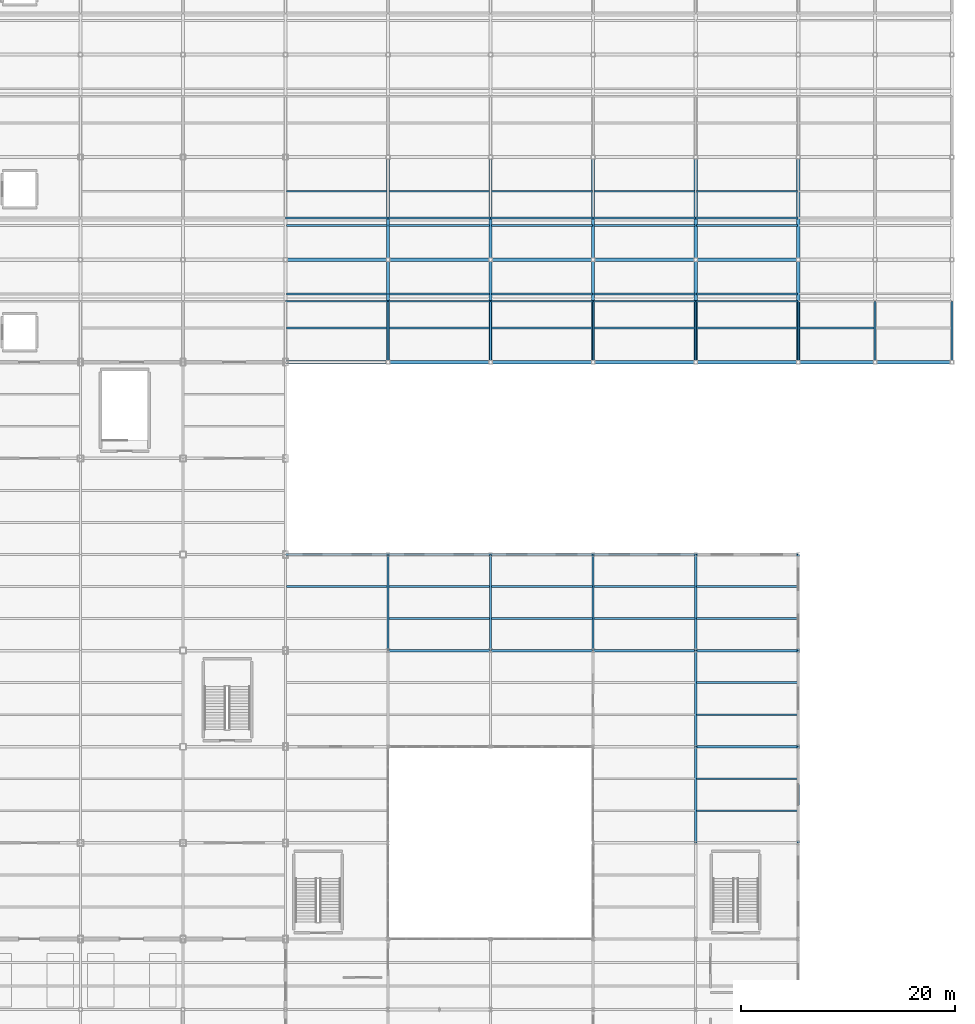
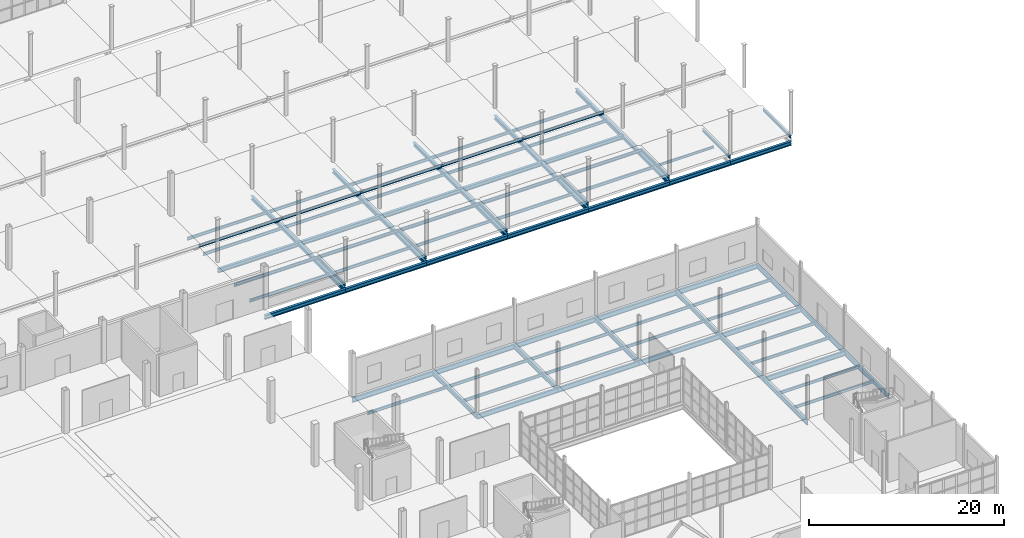
# One storey, part 41 of 85: 92 beams.
"""IFC4 building model written with IfcOpenShell, lengths in metres."""

import ifcopenshell
import ifcopenshell.guid

model = None  # the IFC model being written
_history = None  # IfcOwnerHistory: only IFC2X3 demands one
_inside = {}  # id of a spatial element -> (the spatial element, [elements in it])
_under = {}  # id of a project, library or spatial element -> (it, [spatial elements below it])
_declared = {}  # id of a project -> (the project, [libraries it declares])
_typed = {}  # id of a type object -> (the type object, [elements of that type])
_made_of = {}  # id of a material, layer set ... -> (it, [elements and type objects made of it])


def new_model(schema):
    """Start an empty IFC model of exactly this schema.

    Asked for "IFC4X3", IfcOpenShell would pick the latest addendum, in which some entities
    have other attributes; the version numbers below select the first issue.
    IFC2X3 requires an IfcOwnerHistory on every rooted entity: one is made here for all.
    """
    global model, _history
    if schema == "IFC4X3":
        model = ifcopenshell.file(schema_version=(4, 3, 0, 0))
    else:
        model = ifcopenshell.file(schema=schema)
    _inside.clear()
    _under.clear()
    _declared.clear()
    _typed.clear()
    _made_of.clear()
    _history = None
    if model.schema == "IFC2X3":
        org = make("IfcOrganization", Name="unknown")
        user = make(
            "IfcPersonAndOrganization",
            ThePerson=make("IfcPerson", FamilyName="unknown"),
            TheOrganization=org,
        )
        app = make(
            "IfcApplication",
            ApplicationDeveloper=org,
            Version="unknown",
            ApplicationFullName="unknown",
            ApplicationIdentifier="unknown",
        )
        _history = make(
            "IfcOwnerHistory",
            OwningUser=user,
            OwningApplication=app,
            ChangeAction="ADDED",
            CreationDate=0,
        )
    return model


def make(cls, **values):
    """One entity of the class cls with the attributes given. An attribute that is None is left unset."""
    return model.create_entity(
        cls, **{name: value for name, value in values.items() if value is not None}
    )


def rooted(cls, **values):
    """An entity with a GlobalId (a new one), such as an element, a storey or a relation."""
    return make(cls, GlobalId=ifcopenshell.guid.new(), OwnerHistory=_history, **values)


def si_unit(unit_type, name, prefix=None):
    """IfcSIUnit, for example si_unit("LENGTHUNIT", "METRE", prefix="MILLI")."""
    return make("IfcSIUnit", UnitType=unit_type, Prefix=prefix, Name=name)


def assignment(units):
    """IfcUnitAssignment: the units of a project."""
    return None if units is None else make("IfcUnitAssignment", Units=units)


def point(xyz):
    """IfcCartesianPoint."""
    return None if xyz is None else make("IfcCartesianPoint", Coordinates=xyz)


def direction(xyz):
    """IfcDirection."""
    return None if xyz is None else make("IfcDirection", DirectionRatios=xyz)


def frame(location, z_axis=None, x_axis=None):
    """IfcAxis2Placement3D, a coordinate frame: its origin and axes. An axis left out is left unset."""
    return make(
        "IfcAxis2Placement3D",
        Location=point(location),
        Axis=direction(z_axis),
        RefDirection=direction(x_axis),
    )


def frame_2d(location, x_axis=None):
    """IfcAxis2Placement2D, a coordinate frame in the plane: its origin and x axis."""
    return make(
        "IfcAxis2Placement2D", Location=point(location), RefDirection=direction(x_axis)
    )


def origin():
    """The frame at (0, 0, 0) with its axes left unset."""
    return frame((0.0, 0.0, 0.0))


def origin_2d():
    """The frame at (0, 0) in the plane with its x axis left unset."""
    return frame_2d((0.0, 0.0))


def place(relative_to, where):
    """IfcLocalPlacement: puts the frame where relative to a parent placement (None: the world)."""
    return make(
        "IfcLocalPlacement", PlacementRelTo=relative_to, RelativePlacement=where
    )


def context(
    kind, dimensions, precision=None, world=None, true_north=None, identifier=None
):
    """IfcGeometricRepresentationContext, for example the 3D "Model" context."""
    return make(
        "IfcGeometricRepresentationContext",
        ContextIdentifier=identifier,
        ContextType=kind,
        CoordinateSpaceDimension=dimensions,
        Precision=precision,
        WorldCoordinateSystem=world,
        TrueNorth=true_north,
    )


def subcontext(parent, identifier, kind, view, scale=None):
    """IfcGeometricRepresentationSubContext, for example "Body" below "Model"."""
    return make(
        "IfcGeometricRepresentationSubContext",
        ContextIdentifier=identifier,
        ContextType=kind,
        ParentContext=parent,
        TargetScale=scale,
        TargetView=view,
    )


def project(units=None, contexts=None):
    """IfcProject with its units and contexts."""
    return rooted(
        "IfcProject",
        Name="project",
        RepresentationContexts=contexts,
        UnitsInContext=assignment(units),
    )


def spatial(cls, under=None, at=None, **own):
    """A site, building, storey or space (cls), placed at a placement, below another one or the project."""
    s = rooted(cls, ObjectPlacement=at, **own)
    if under is not None:
        _under.setdefault(under.id(), (under, []))[1].append(s)
    return s


def profile(cls, at=None, kind="AREA", **sizes):
    """A parametric profile (cls). Its sizes go by their IFC names, for example OverallWidth=200.0."""
    return make(cls, ProfileType=kind, Position=at, **sizes)


def i_section(**sizes):
    """IfcIShapeProfileDef."""
    return profile("IfcIShapeProfileDef", **sizes)


def extrude(swept, where, along, depth):
    """IfcExtrudedAreaSolid: the profile swept, set in the frame where, extruded along a direction by depth."""
    return make(
        "IfcExtrudedAreaSolid",
        SweptArea=swept,
        Position=where,
        ExtrudedDirection=direction(along),
        Depth=depth,
    )


def shape(context_of_items, identifier, shape_type, items):
    """IfcShapeRepresentation: the items that make up one representation, for example the "Body"."""
    return make(
        "IfcShapeRepresentation",
        ContextOfItems=context_of_items,
        RepresentationIdentifier=identifier,
        RepresentationType=shape_type,
        Items=items,
    )


def material(Name=None, Category=None):
    """IfcMaterial."""
    return make("IfcMaterial", Name=Name, Category=Category)


def material_profile(
    of_material, cross_section, Name=None, Category=None, Priority=None
):
    """IfcMaterialProfile: a cross section and its material."""
    return make(
        "IfcMaterialProfile",
        Name=Name,
        Material=of_material,
        Profile=cross_section,
        Priority=Priority,
        Category=Category,
    )


def profile_set(profiles, Name=None, composite=None):
    """IfcMaterialProfileSet."""
    return make(
        "IfcMaterialProfileSet",
        Name=Name,
        MaterialProfiles=profiles,
        CompositeProfile=composite,
    )


def made_of(thing, what):
    """Note that an element or type object is made of a material, layer set ...; save() writes the relation."""
    if what is not None:
        _made_of.setdefault(what.id(), (what, []))[1].append(thing)
    return thing


def type_object(cls, material=None, **own):
    """A type object (cls), such as IfcWallType, which elements share."""
    return made_of(rooted(cls, **own), material)


def element(
    cls,
    number,
    at=None,
    inside=None,
    cuts=None,
    type_object=None,
    material=None,
    context=None,
    identifier="Body",
    shape_type=None,
    held_by="IfcProductDefinitionShape",
    body=None,
    shapes=None,
    **own,
):
    """One element of the class cls, such as IfcWall. Its Tag is "e" and its number.

    at: its placement. inside: the storey or other place that contains it. cuts: it is an
    opening in that element (IfcRelVoidsElement). A single representation is given by context,
    identifier, shape_type and body (its items); several are given by shapes. held_by: the class
    of the entity that holds the representations. save() writes the other relations.
    """
    e = rooted(cls, Tag="e%d" % number, ObjectPlacement=at, **own)
    if body is not None:
        shapes = [shape(context, identifier, shape_type, body)]
    if shapes is not None:
        e.Representation = make(held_by, Representations=shapes)
    if inside is not None:
        _inside.setdefault(inside.id(), (inside, []))[1].append(e)
    if cuts is not None:
        rooted(
            "IfcRelVoidsElement", RelatingBuildingElement=cuts, RelatedOpeningElement=e
        )
    if type_object is not None:
        _typed.setdefault(type_object.id(), (type_object, []))[1].append(e)
    return made_of(e, material)


def aggregate(whole, parts):
    """IfcRelAggregates: a whole, such as a stair, and the parts it consists of."""
    return rooted("IfcRelAggregates", RelatingObject=whole, RelatedObjects=parts)


def save(model, path):
    """Write the relations noted so far, then the file.

    IfcRelAggregates (storeys below a building ...), IfcRelContainedInSpatialStructure (elements
    in a storey), IfcRelDefinesByType, IfcRelAssociatesMaterial and IfcRelDeclares: one each for
    every whole, place, type object, material and project.
    """
    for whole, parts in _under.values():
        aggregate(whole, parts)
    for where, things in _inside.values():
        rooted(
            "IfcRelContainedInSpatialStructure",
            RelatedElements=things,
            RelatingStructure=where,
        )
    for kind, things in _typed.values():
        rooted("IfcRelDefinesByType", RelatedObjects=things, RelatingType=kind)
    for what, things in _made_of.values():
        rooted("IfcRelAssociatesMaterial", RelatedObjects=things, RelatingMaterial=what)
    for by, libraries in _declared.values():
        rooted("IfcRelDeclares", RelatingContext=by, RelatedDefinitions=libraries)
    model.write(path)


model = new_model("IFC4")

# Units and contexts
model_context = context("Model", 3, precision=1e-05, world=origin(), true_north=direction((0.0, 1.0)))
body_context = subcontext(model_context, "Body", "Model", "MODEL_VIEW")
ifc_project = project(units=[si_unit("LENGTHUNIT", "METRE"), si_unit("AREAUNIT", "SQUARE_METRE"), si_unit("VOLUMEUNIT", "CUBIC_METRE"), si_unit("PLANEANGLEUNIT", "RADIAN"), si_unit("MASSUNIT", "GRAM", prefix="KILO")], contexts=[model_context])

# Site, building, storey
site_placement = place(None, origin())
site = spatial("IfcSite", under=ifc_project, at=site_placement, CompositionType="ELEMENT")
building_placement = place(site_placement, origin())
building = spatial("IfcBuilding", under=site, at=building_placement, Name="Zarnetskaya Central Station", CompositionType="ELEMENT")
storey_placement = place(building_placement, origin())
storey = spatial("IfcBuildingStorey", under=building, at=storey_placement, Name="L00", CompositionType="ELEMENT", Elevation=0.0)

# Beams
ifc_material = material(Name="Steel S355", Category="steel")
ifc_material_profile_1 = material_profile(ifc_material, i_section(OverallWidth=0.14990234375, OverallDepth=0.300048828125, WebThickness=0.007080078125, FlangeThickness=0.0107421875, FilletRadius=0.014892578125, at=origin_2d()), Name="IPE 300")
ifc_profile_set_1 = profile_set([ifc_material_profile_1], Name="Steel S355")
beam_type_1 = type_object("IfcBeamType", Name="BM-SEC-300", PredefinedType="BEAM", material=ifc_profile_set_1)
beam_1_placement = place(storey_placement, frame((172.8798828125, 70.39990234375, -1.06005859375), z_axis=(1.0, 0.0, 0.0), x_axis=(0.0, 1.0, 0.0)))
element("IfcBeam", 1, at=beam_1_placement, inside=storey, type_object=beam_type_1, Name="Secondary floor beam SEC-L00-Z91-UV-910-1", PredefinedType="BEAM", context=body_context, shape_type="SweptSolid", body=[
    extrude(i_section(OverallWidth=0.14990234375, OverallDepth=0.300048828125, WebThickness=0.007080078125, FlangeThickness=0.0107421875, FilletRadius=0.014892578125, at=origin_2d()), origin(), (0.0, 0.0, 1.0), 7.0400390625),
])
ifc_material_profile_2 = material_profile(ifc_material, i_section(OverallWidth=0.159912109375, OverallDepth=0.330078125, WebThickness=0.007568359375, FlangeThickness=0.011474609375, FilletRadius=0.01806640625, at=origin_2d()), Name="IPE 330")
ifc_profile_set_2 = profile_set([ifc_material_profile_2], Name="Steel S355")
beam_type_2 = type_object("IfcBeamType", Name="BM-SEC-330", PredefinedType="BEAM", material=ifc_profile_set_2)
for number, where, z_axis, x_axis, name in (
    (2, (134.39990234375, 67.199951171875, -0.465087890625), (0.0, 1.0, 0.0), (-1.0, 0.0, 0.0), "Platform transverse bearer GY-PLT-P1-Q"),
    (3, (144.0, 67.199951171875, -0.455078125), (0.0, 1.0, 0.0), (-1.0, 0.0, 0.0), "Platform transverse bearer GY-PLT-P1-R"),
    (4, (153.60009765625, 67.199951171875, -0.455078125), (0.0, 1.0, 0.0), (-1.0, 0.0, 0.0), "Platform transverse bearer GY-PLT-P1-S"),
    (5, (163.199951171875, 67.199951171875, -0.455078125), (0.0, 1.0, 0.0), (-1.0, 0.0, 0.0), "Platform transverse bearer GY-PLT-P1-T"),
    (6, (172.800048828125, 67.199951171875, -0.455078125), (0.0, 1.0, 0.0), (-1.0, 0.0, 0.0), "Platform transverse bearer GY-PLT-P1-U"),
    (7, (180.0, 67.199951171875, -0.455078125), (0.0, 1.0, 0.0), (-1.0, 0.0, 0.0), "Platform transverse bearer GY-PLT-P1-V"),
    (8, (187.199951171875, 67.199951171875, -0.455078125), (0.0, 1.0, 0.0), (-1.0, 0.0, 0.0), "Platform transverse bearer GY-PLT-P1-W"),
):
    element("IfcBeam", number, at=place(storey_placement, frame(where, z_axis=z_axis, x_axis=x_axis)), inside=storey, type_object=beam_type_2, Name=name, PredefinedType="BEAM", context=body_context, shape_type="SweptSolid", body=[
        extrude(i_section(OverallWidth=0.159912109375, OverallDepth=0.330078125, WebThickness=0.007568359375, FlangeThickness=0.011474609375, FilletRadius=0.01806640625, at=origin_2d()), origin(), (0.0, 0.0, 1.0), 5.699951171875),
    ])
beam_2_placement = place(storey_placement, frame((124.800048828125, 72.89990234375, -0.465087890625), z_axis=(1.0, 0.0, 0.0), x_axis=(0.0, 1.0, 0.0)))
element("IfcBeam", 9, at=beam_2_placement, inside=storey, type_object=beam_type_2, Name="Platform north edge beam GX-PLT-P1-PQ-N", PredefinedType="BEAM", context=body_context, shape_type="SweptSolid", body=[
    extrude(i_section(OverallWidth=0.159912109375, OverallDepth=0.330078125, WebThickness=0.007568359375, FlangeThickness=0.011474609375, FilletRadius=0.01806640625, at=origin_2d()), origin(), (0.0, 0.0, 1.0), 9.599853515625),
])
for number, where, z_axis, x_axis, name in (
    (10, (134.39990234375, 72.89990234375, -0.455078125), (1.0, 0.0, 0.0), (0.0, 1.0, 0.0), "Platform north edge beam GX-PLT-P1-QR-N"),
    (11, (144.0, 72.89990234375, -0.455078125), (1.0, 0.0, 0.0), (0.0, 1.0, 0.0), "Platform north edge beam GX-PLT-P1-RS-N"),
):
    element("IfcBeam", number, at=place(storey_placement, frame(where, z_axis=z_axis, x_axis=x_axis)), inside=storey, type_object=beam_type_2, Name=name, PredefinedType="BEAM", context=body_context, shape_type="SweptSolid", body=[
        extrude(i_section(OverallWidth=0.159912109375, OverallDepth=0.330078125, WebThickness=0.007568359375, FlangeThickness=0.011474609375, FilletRadius=0.01806640625, at=origin_2d()), origin(), (0.0, 0.0, 1.0), 9.60009765625),
    ])
beam_3_placement = place(storey_placement, frame((153.60009765625, 72.89990234375, -0.455078125), z_axis=(1.0, 0.0, 0.0), x_axis=(0.0, 1.0, 0.0)))
element("IfcBeam", 12, at=beam_3_placement, inside=storey, type_object=beam_type_2, Name="Platform north edge beam GX-PLT-P1-ST-N", PredefinedType="BEAM", context=body_context, shape_type="SweptSolid", body=[
    extrude(i_section(OverallWidth=0.159912109375, OverallDepth=0.330078125, WebThickness=0.007568359375, FlangeThickness=0.011474609375, FilletRadius=0.01806640625, at=origin_2d()), origin(), (0.0, 0.0, 1.0), 9.599853515625),
])
beam_4_placement = place(storey_placement, frame((163.199951171875, 72.89990234375, -0.455078125), z_axis=(1.0, 0.0, 0.0), x_axis=(0.0, 1.0, 0.0)))
element("IfcBeam", 13, at=beam_4_placement, inside=storey, type_object=beam_type_2, Name="Platform north edge beam GX-PLT-P1-TU-N", PredefinedType="BEAM", context=body_context, shape_type="SweptSolid", body=[
    extrude(i_section(OverallWidth=0.159912109375, OverallDepth=0.330078125, WebThickness=0.007568359375, FlangeThickness=0.011474609375, FilletRadius=0.01806640625, at=origin_2d()), origin(), (0.0, 0.0, 1.0), 9.60009765625),
])
beam_5_placement = place(storey_placement, frame((124.800048828125, 80.699951171875, -0.465087890625), z_axis=(1.0, 0.0, 0.0), x_axis=(0.0, 1.0, 0.0)))
element("IfcBeam", 14, at=beam_5_placement, inside=storey, type_object=beam_type_2, Name="Platform south edge beam GX-PLT-P2-PQ-S", PredefinedType="BEAM", context=body_context, shape_type="SweptSolid", body=[
    extrude(i_section(OverallWidth=0.159912109375, OverallDepth=0.330078125, WebThickness=0.007568359375, FlangeThickness=0.011474609375, FilletRadius=0.01806640625, at=origin_2d()), origin(), (0.0, 0.0, 1.0), 9.599853515625),
])
for number, where, z_axis, x_axis, name in (
    (15, (134.39990234375, 80.699951171875, -0.455078125), (1.0, 0.0, 0.0), (0.0, 1.0, 0.0), "Platform south edge beam GX-PLT-P2-QR-S"),
    (16, (144.0, 80.699951171875, -0.455078125), (1.0, 0.0, 0.0), (0.0, 1.0, 0.0), "Platform south edge beam GX-PLT-P2-RS-S"),
):
    element("IfcBeam", number, at=place(storey_placement, frame(where, z_axis=z_axis, x_axis=x_axis)), inside=storey, type_object=beam_type_2, Name=name, PredefinedType="BEAM", context=body_context, shape_type="SweptSolid", body=[
        extrude(i_section(OverallWidth=0.159912109375, OverallDepth=0.330078125, WebThickness=0.007568359375, FlangeThickness=0.011474609375, FilletRadius=0.01806640625, at=origin_2d()), origin(), (0.0, 0.0, 1.0), 9.60009765625),
    ])
beam_6_placement = place(storey_placement, frame((153.60009765625, 80.699951171875, -0.455078125), z_axis=(1.0, 0.0, 0.0), x_axis=(0.0, 1.0, 0.0)))
element("IfcBeam", 17, at=beam_6_placement, inside=storey, type_object=beam_type_2, Name="Platform south edge beam GX-PLT-P2-ST-S", PredefinedType="BEAM", context=body_context, shape_type="SweptSolid", body=[
    extrude(i_section(OverallWidth=0.159912109375, OverallDepth=0.330078125, WebThickness=0.007568359375, FlangeThickness=0.011474609375, FilletRadius=0.01806640625, at=origin_2d()), origin(), (0.0, 0.0, 1.0), 9.599853515625),
])
beam_7_placement = place(storey_placement, frame((163.199951171875, 80.699951171875, -0.455078125), z_axis=(1.0, 0.0, 0.0), x_axis=(0.0, 1.0, 0.0)))
element("IfcBeam", 18, at=beam_7_placement, inside=storey, type_object=beam_type_2, Name="Platform south edge beam GX-PLT-P2-TU-S", PredefinedType="BEAM", context=body_context, shape_type="SweptSolid", body=[
    extrude(i_section(OverallWidth=0.159912109375, OverallDepth=0.330078125, WebThickness=0.007568359375, FlangeThickness=0.011474609375, FilletRadius=0.01806640625, at=origin_2d()), origin(), (0.0, 0.0, 1.0), 9.60009765625),
])
ifc_material_profile_3 = material_profile(ifc_material, i_section(OverallWidth=0.169921875, OverallDepth=0.360107421875, WebThickness=0.008056640625, FlangeThickness=0.0126953125, FilletRadius=0.01806640625, at=origin_2d()), Name="IPE 360")
ifc_profile_set_3 = profile_set([ifc_material_profile_3], Name="Steel S355")
beam_type_3 = type_object("IfcBeamType", Name="BM-SEC-360", PredefinedType="BEAM", material=ifc_profile_set_3)
beam_8_placement = place(storey_placement, frame((124.8798828125, 46.199951171875, -0.5), z_axis=(1.0, 0.0, 0.0), x_axis=(0.0, 1.0, 0.0)))
element("IfcBeam", 19, at=beam_8_placement, inside=storey, type_object=beam_type_3, Name="Secondary floor beam SEC-L00-Z32-PQ-67-2", PredefinedType="BEAM", context=body_context, shape_type="SweptSolid", body=[
    extrude(i_section(OverallWidth=0.169921875, OverallDepth=0.360107421875, WebThickness=0.008056640625, FlangeThickness=0.0126953125, FilletRadius=0.01806640625, at=origin_2d()), origin(), (0.0, 0.0, 1.0), 9.440185546875),
])
for number, where, z_axis, x_axis, name in (
    (20, (134.47998046875, 43.199951171875, -0.5), (1.0, 0.0, 0.0), (0.0, 1.0, 0.0), "Secondary floor beam SEC-L00-Z32-QR-67-1"),
    (21, (134.47998046875, 46.199951171875, -0.5), (1.0, 0.0, 0.0), (0.0, 1.0, 0.0), "Secondary floor beam SEC-L00-Z32-QR-67-2"),
    (22, (144.080078125, 43.199951171875, -0.5), (1.0, 0.0, 0.0), (0.0, 1.0, 0.0), "Secondary floor beam SEC-L00-Z32-RS-67-1"),
    (23, (144.080078125, 46.199951171875, -0.5), (1.0, 0.0, 0.0), (0.0, 1.0, 0.0), "Secondary floor beam SEC-L00-Z32-RS-67-2"),
):
    element("IfcBeam", number, at=place(storey_placement, frame(where, z_axis=z_axis, x_axis=x_axis)), inside=storey, type_object=beam_type_3, Name=name, PredefinedType="BEAM", context=body_context, shape_type="SweptSolid", body=[
        extrude(i_section(OverallWidth=0.169921875, OverallDepth=0.360107421875, WebThickness=0.008056640625, FlangeThickness=0.0126953125, FilletRadius=0.01806640625, at=origin_2d()), origin(), (0.0, 0.0, 1.0), 9.43994140625),
    ])
for number, where, z_axis, x_axis, name in (
    (24, (153.679931640625, 43.199951171875, -0.5), (1.0, 0.0, 0.0), (0.0, 1.0, 0.0), "Secondary floor beam SEC-L00-Z32-ST-67-1"),
    (25, (153.679931640625, 46.199951171875, -0.5), (1.0, 0.0, 0.0), (0.0, 1.0, 0.0), "Secondary floor beam SEC-L00-Z32-ST-67-2"),
):
    element("IfcBeam", number, at=place(storey_placement, frame(where, z_axis=z_axis, x_axis=x_axis)), inside=storey, type_object=beam_type_3, Name=name, PredefinedType="BEAM", context=body_context, shape_type="SweptSolid", body=[
        extrude(i_section(OverallWidth=0.169921875, OverallDepth=0.360107421875, WebThickness=0.008056640625, FlangeThickness=0.0126953125, FilletRadius=0.01806640625, at=origin_2d()), origin(), (0.0, 0.0, 1.0), 9.440185546875),
    ])
for number, where, z_axis, x_axis, name in (
    (26, (163.280029296875, 25.199951171875, -0.5), (1.0, 0.0, 0.0), (0.0, 1.0, 0.0), "Secondary floor beam SEC-L00-Z32-TU-45-1"),
    (27, (163.280029296875, 28.199951171875, -0.5), (1.0, 0.0, 0.0), (0.0, 1.0, 0.0), "Secondary floor beam SEC-L00-Z32-TU-45-2"),
    (28, (163.280029296875, 34.199951171875, -0.5), (1.0, 0.0, 0.0), (0.0, 1.0, 0.0), "Secondary floor beam SEC-L00-Z32-TU-56-1"),
    (29, (163.280029296875, 37.199951171875, -0.5), (1.0, 0.0, 0.0), (0.0, 1.0, 0.0), "Secondary floor beam SEC-L00-Z32-TU-56-2"),
    (30, (163.280029296875, 43.199951171875, -0.5), (1.0, 0.0, 0.0), (0.0, 1.0, 0.0), "Secondary floor beam SEC-L00-Z32-TU-67-1"),
    (31, (163.280029296875, 46.199951171875, -0.5), (1.0, 0.0, 0.0), (0.0, 1.0, 0.0), "Secondary floor beam SEC-L00-Z32-TU-67-2"),
):
    element("IfcBeam", number, at=place(storey_placement, frame(where, z_axis=z_axis, x_axis=x_axis)), inside=storey, type_object=beam_type_3, Name=name, PredefinedType="BEAM", context=body_context, shape_type="SweptSolid", body=[
        extrude(i_section(OverallWidth=0.169921875, OverallDepth=0.360107421875, WebThickness=0.008056640625, FlangeThickness=0.0126953125, FilletRadius=0.01806640625, at=origin_2d()), origin(), (0.0, 0.0, 1.0), 9.43994140625),
    ])
for number, where, z_axis, x_axis, name in (
    (32, (124.8798828125, 70.39990234375, -1.090087890625), (1.0, 0.0, 0.0), (0.0, 1.0, 0.0), "Secondary floor beam SEC-L00-Z91-PQ-910-1"),
    (33, (124.8798828125, 73.60009765625, -1.090087890625), (1.0, 0.0, 0.0), (0.0, 1.0, 0.0), "Secondary floor beam SEC-L00-Z91-PQ-910-2"),
    (34, (124.8798828125, 80.0, -1.090087890625), (1.0, 0.0, 0.0), (0.0, 1.0, 0.0), "Secondary floor beam SEC-L00-Z91-PQ-1011-1"),
    (35, (124.8798828125, 83.199951171875, -1.090087890625), (1.0, 0.0, 0.0), (0.0, 1.0, 0.0), "Secondary floor beam SEC-L00-Z91-PQ-1011-2"),
):
    element("IfcBeam", number, at=place(storey_placement, frame(where, z_axis=z_axis, x_axis=x_axis)), inside=storey, type_object=beam_type_3, Name=name, PredefinedType="BEAM", context=body_context, shape_type="SweptSolid", body=[
        extrude(i_section(OverallWidth=0.169921875, OverallDepth=0.360107421875, WebThickness=0.008056640625, FlangeThickness=0.0126953125, FilletRadius=0.01806640625, at=origin_2d()), origin(), (0.0, 0.0, 1.0), 9.440185546875),
    ])
for number, where, z_axis, x_axis, name in (
    (36, (134.47998046875, 70.39990234375, -1.090087890625), (1.0, 0.0, 0.0), (0.0, 1.0, 0.0), "Secondary floor beam SEC-L00-Z91-QR-910-1"),
    (37, (134.47998046875, 73.60009765625, -1.090087890625), (1.0, 0.0, 0.0), (0.0, 1.0, 0.0), "Secondary floor beam SEC-L00-Z91-QR-910-2"),
    (38, (134.47998046875, 80.0, -1.090087890625), (1.0, 0.0, 0.0), (0.0, 1.0, 0.0), "Secondary floor beam SEC-L00-Z91-QR-1011-1"),
    (39, (134.47998046875, 83.199951171875, -1.090087890625), (1.0, 0.0, 0.0), (0.0, 1.0, 0.0), "Secondary floor beam SEC-L00-Z91-QR-1011-2"),
    (40, (144.080078125, 70.39990234375, -1.090087890625), (1.0, 0.0, 0.0), (0.0, 1.0, 0.0), "Secondary floor beam SEC-L00-Z91-RS-910-1"),
    (41, (144.080078125, 73.60009765625, -1.090087890625), (1.0, 0.0, 0.0), (0.0, 1.0, 0.0), "Secondary floor beam SEC-L00-Z91-RS-910-2"),
    (42, (144.080078125, 80.0, -1.090087890625), (1.0, 0.0, 0.0), (0.0, 1.0, 0.0), "Secondary floor beam SEC-L00-Z91-RS-1011-1"),
    (43, (144.080078125, 83.199951171875, -1.090087890625), (1.0, 0.0, 0.0), (0.0, 1.0, 0.0), "Secondary floor beam SEC-L00-Z91-RS-1011-2"),
):
    element("IfcBeam", number, at=place(storey_placement, frame(where, z_axis=z_axis, x_axis=x_axis)), inside=storey, type_object=beam_type_3, Name=name, PredefinedType="BEAM", context=body_context, shape_type="SweptSolid", body=[
        extrude(i_section(OverallWidth=0.169921875, OverallDepth=0.360107421875, WebThickness=0.008056640625, FlangeThickness=0.0126953125, FilletRadius=0.01806640625, at=origin_2d()), origin(), (0.0, 0.0, 1.0), 9.43994140625),
    ])
for number, where, z_axis, x_axis, name in (
    (44, (153.679931640625, 70.39990234375, -1.090087890625), (1.0, 0.0, 0.0), (0.0, 1.0, 0.0), "Secondary floor beam SEC-L00-Z91-ST-910-1"),
    (45, (153.679931640625, 73.60009765625, -1.090087890625), (1.0, 0.0, 0.0), (0.0, 1.0, 0.0), "Secondary floor beam SEC-L00-Z91-ST-910-2"),
    (46, (153.679931640625, 80.0, -1.090087890625), (1.0, 0.0, 0.0), (0.0, 1.0, 0.0), "Secondary floor beam SEC-L00-Z91-ST-1011-1"),
    (47, (153.679931640625, 83.199951171875, -1.090087890625), (1.0, 0.0, 0.0), (0.0, 1.0, 0.0), "Secondary floor beam SEC-L00-Z91-ST-1011-2"),
):
    element("IfcBeam", number, at=place(storey_placement, frame(where, z_axis=z_axis, x_axis=x_axis)), inside=storey, type_object=beam_type_3, Name=name, PredefinedType="BEAM", context=body_context, shape_type="SweptSolid", body=[
        extrude(i_section(OverallWidth=0.169921875, OverallDepth=0.360107421875, WebThickness=0.008056640625, FlangeThickness=0.0126953125, FilletRadius=0.01806640625, at=origin_2d()), origin(), (0.0, 0.0, 1.0), 9.440185546875),
    ])
for number, where, z_axis, x_axis, name in (
    (48, (163.280029296875, 70.39990234375, -1.090087890625), (1.0, 0.0, 0.0), (0.0, 1.0, 0.0), "Secondary floor beam SEC-L00-Z91-TU-910-1"),
    (49, (163.280029296875, 73.60009765625, -1.090087890625), (1.0, 0.0, 0.0), (0.0, 1.0, 0.0), "Secondary floor beam SEC-L00-Z91-TU-910-2"),
    (50, (163.280029296875, 80.0, -1.090087890625), (1.0, 0.0, 0.0), (0.0, 1.0, 0.0), "Secondary floor beam SEC-L00-Z91-TU-1011-1"),
    (51, (163.280029296875, 83.199951171875, -1.090087890625), (1.0, 0.0, 0.0), (0.0, 1.0, 0.0), "Secondary floor beam SEC-L00-Z91-TU-1011-2"),
):
    element("IfcBeam", number, at=place(storey_placement, frame(where, z_axis=z_axis, x_axis=x_axis)), inside=storey, type_object=beam_type_3, Name=name, PredefinedType="BEAM", context=body_context, shape_type="SweptSolid", body=[
        extrude(i_section(OverallWidth=0.169921875, OverallDepth=0.360107421875, WebThickness=0.008056640625, FlangeThickness=0.0126953125, FilletRadius=0.01806640625, at=origin_2d()), origin(), (0.0, 0.0, 1.0), 9.43994140625),
    ])
ifc_material_profile_4 = material_profile(ifc_material, i_section(OverallWidth=0.2099609375, OverallDepth=0.550048828125, WebThickness=0.010986328125, FlangeThickness=0.01708984375, FilletRadius=0.02392578125, at=origin_2d()), Name="IPE 550")
ifc_profile_set_4 = profile_set([ifc_material_profile_4], Name="Steel S355")
beam_type_4 = type_object("IfcBeamType", Name="GD-FLR-550", PredefinedType="USERDEFINED", material=ifc_profile_set_4)
for number, where, z_axis, x_axis, name in (
    (52, (134.39990234375, 40.199951171875, -0.594970703125), (0.0, 1.0, 0.0), (-1.0, 0.0, 0.0), "Grid girder GY-L00-Q-67"),
    (53, (144.0, 40.199951171875, -0.594970703125), (0.0, 1.0, 0.0), (-1.0, 0.0, 0.0), "Grid girder GY-L00-R-67"),
    (54, (153.60009765625, 40.199951171875, -0.594970703125), (0.0, 1.0, 0.0), (-1.0, 0.0, 0.0), "Grid girder GY-L00-S-67"),
    (55, (163.199951171875, 22.199951171875, -0.594970703125), (0.0, 1.0, 0.0), (-1.0, 0.0, 0.0), "Grid girder GY-L00-T-45"),
    (56, (163.199951171875, 31.199951171875, -0.594970703125), (0.0, 1.0, 0.0), (-1.0, 0.0, 0.0), "Grid girder GY-L00-T-56"),
    (57, (163.199951171875, 40.199951171875, -0.594970703125), (0.0, 1.0, 0.0), (-1.0, 0.0, 0.0), "Grid girder GY-L00-T-67"),
    (58, (172.800048828125, 22.199951171875, -0.594970703125), (0.0, 1.0, 0.0), (-1.0, 0.0, 0.0), "Grid girder GY-L00-U-45"),
    (59, (172.800048828125, 31.199951171875, -0.594970703125), (0.0, 1.0, 0.0), (-1.0, 0.0, 0.0), "Grid girder GY-L00-U-56"),
    (60, (172.800048828125, 40.199951171875, -0.594970703125), (0.0, 1.0, 0.0), (-1.0, 0.0, 0.0), "Grid girder GY-L00-U-67"),
):
    element("IfcBeam", number, at=place(storey_placement, frame(where, z_axis=z_axis, x_axis=x_axis)), inside=storey, type_object=beam_type_4, Name=name, ObjectType="GIRDER", PredefinedType="USERDEFINED", context=body_context, shape_type="SweptSolid", body=[
        extrude(i_section(OverallWidth=0.2099609375, OverallDepth=0.550048828125, WebThickness=0.010986328125, FlangeThickness=0.01708984375, FilletRadius=0.02392578125, at=origin_2d()), origin(), (0.0, 0.0, 1.0), 9.0),
    ])
ifc_material_profile_5 = material_profile(ifc_material, i_section(OverallWidth=0.219970703125, OverallDepth=0.60009765625, WebThickness=0.011962890625, FlangeThickness=0.01904296875, FilletRadius=0.02392578125, at=origin_2d()), Name="IPE 600")
ifc_profile_set_5 = profile_set([ifc_material_profile_5], Name="Steel S355")
beam_type_5 = type_object("IfcBeamType", Name="GD-FLR-600", PredefinedType="USERDEFINED", material=ifc_profile_set_5)
beam_9_placement = place(storey_placement, frame((124.800048828125, 49.199951171875, -0.6201171875), z_axis=(1.0, 0.0, 0.0), x_axis=(0.0, 1.0, 0.0)))
element("IfcBeam", 61, at=beam_9_placement, inside=storey, type_object=beam_type_5, Name="Grid girder GX-L00-7-PQ", ObjectType="GIRDER", PredefinedType="USERDEFINED", context=body_context, shape_type="SweptSolid", body=[
    extrude(i_section(OverallWidth=0.219970703125, OverallDepth=0.60009765625, WebThickness=0.011962890625, FlangeThickness=0.01904296875, FilletRadius=0.02392578125, at=origin_2d()), origin(), (0.0, 0.0, 1.0), 9.599853515625),
])
for number, where, z_axis, x_axis, name in (
    (62, (134.39990234375, 40.199951171875, -0.6201171875), (1.0, 0.0, 0.0), (0.0, 1.0, 0.0), "Grid girder GX-L00-6-QR"),
    (63, (134.39990234375, 49.199951171875, -0.6201171875), (1.0, 0.0, 0.0), (0.0, 1.0, 0.0), "Grid girder GX-L00-7-QR"),
    (64, (144.0, 40.199951171875, -0.6201171875), (1.0, 0.0, 0.0), (0.0, 1.0, 0.0), "Grid girder GX-L00-6-RS"),
    (65, (144.0, 49.199951171875, -0.6201171875), (1.0, 0.0, 0.0), (0.0, 1.0, 0.0), "Grid girder GX-L00-7-RS"),
):
    element("IfcBeam", number, at=place(storey_placement, frame(where, z_axis=z_axis, x_axis=x_axis)), inside=storey, type_object=beam_type_5, Name=name, ObjectType="GIRDER", PredefinedType="USERDEFINED", context=body_context, shape_type="SweptSolid", body=[
        extrude(i_section(OverallWidth=0.219970703125, OverallDepth=0.60009765625, WebThickness=0.011962890625, FlangeThickness=0.01904296875, FilletRadius=0.02392578125, at=origin_2d()), origin(), (0.0, 0.0, 1.0), 9.60009765625),
    ])
for number, where, z_axis, x_axis, name in (
    (66, (153.60009765625, 40.199951171875, -0.6201171875), (1.0, 0.0, 0.0), (0.0, 1.0, 0.0), "Grid girder GX-L00-6-ST"),
    (67, (153.60009765625, 49.199951171875, -0.6201171875), (1.0, 0.0, 0.0), (0.0, 1.0, 0.0), "Grid girder GX-L00-7-ST"),
):
    element("IfcBeam", number, at=place(storey_placement, frame(where, z_axis=z_axis, x_axis=x_axis)), inside=storey, type_object=beam_type_5, Name=name, ObjectType="GIRDER", PredefinedType="USERDEFINED", context=body_context, shape_type="SweptSolid", body=[
        extrude(i_section(OverallWidth=0.219970703125, OverallDepth=0.60009765625, WebThickness=0.011962890625, FlangeThickness=0.01904296875, FilletRadius=0.02392578125, at=origin_2d()), origin(), (0.0, 0.0, 1.0), 9.599853515625),
    ])
for number, where, z_axis, x_axis, name in (
    (68, (163.199951171875, 31.199951171875, -0.6201171875), (1.0, 0.0, 0.0), (0.0, 1.0, 0.0), "Grid girder GX-L00-5-TU"),
    (69, (163.199951171875, 40.199951171875, -0.6201171875), (1.0, 0.0, 0.0), (0.0, 1.0, 0.0), "Grid girder GX-L00-6-TU"),
    (70, (163.199951171875, 49.199951171875, -0.6201171875), (1.0, 0.0, 0.0), (0.0, 1.0, 0.0), "Grid girder GX-L00-7-TU"),
):
    element("IfcBeam", number, at=place(storey_placement, frame(where, z_axis=z_axis, x_axis=x_axis)), inside=storey, type_object=beam_type_5, Name=name, ObjectType="GIRDER", PredefinedType="USERDEFINED", context=body_context, shape_type="SweptSolid", body=[
        extrude(i_section(OverallWidth=0.219970703125, OverallDepth=0.60009765625, WebThickness=0.011962890625, FlangeThickness=0.01904296875, FilletRadius=0.02392578125, at=origin_2d()), origin(), (0.0, 0.0, 1.0), 9.60009765625),
    ])
ifc_material_profile_6 = material_profile(ifc_material, i_section(OverallWidth=0.300048828125, OverallDepth=0.449951171875, WebThickness=0.013916015625, FlangeThickness=0.02587890625, FilletRadius=0.027099609375, at=origin_2d()), Name="HEB 450")
ifc_profile_set_6 = profile_set([ifc_material_profile_6], Name="Steel S355")
beam_type_6 = type_object("IfcBeamType", Name="GD-SUB-450", PredefinedType="USERDEFINED", material=ifc_profile_set_6)
beam_10_placement = place(storey_placement, frame((134.39990234375, 67.199951171875, -1.135009765625), z_axis=(0.0, 1.0, 0.0), x_axis=(-1.0, 0.0, 0.0)))
element("IfcBeam", 71, at=beam_10_placement, inside=storey, type_object=beam_type_6, Name="Grid girder GY-L00-Q-910", ObjectType="GIRDER", PredefinedType="USERDEFINED", context=body_context, shape_type="SweptSolid", body=[
    extrude(i_section(OverallWidth=0.300048828125, OverallDepth=0.449951171875, WebThickness=0.013916015625, FlangeThickness=0.02587890625, FilletRadius=0.027099609375, at=origin_2d()), origin(), (0.0, 0.0, 1.0), 9.60009765625),
])
beam_11_placement = place(storey_placement, frame((134.39990234375, 76.800048828125, -1.135009765625), z_axis=(0.0, 1.0, 0.0), x_axis=(-1.0, 0.0, 0.0)))
element("IfcBeam", 72, at=beam_11_placement, inside=storey, type_object=beam_type_6, Name="Grid girder GY-L00-Q-1011", ObjectType="GIRDER", PredefinedType="USERDEFINED", context=body_context, shape_type="SweptSolid", body=[
    extrude(i_section(OverallWidth=0.300048828125, OverallDepth=0.449951171875, WebThickness=0.013916015625, FlangeThickness=0.02587890625, FilletRadius=0.027099609375, at=origin_2d()), origin(), (0.0, 0.0, 1.0), 9.599853515625),
])
beam_12_placement = place(storey_placement, frame((144.0, 67.199951171875, -1.135009765625), z_axis=(0.0, 1.0, 0.0), x_axis=(-1.0, 0.0, 0.0)))
element("IfcBeam", 73, at=beam_12_placement, inside=storey, type_object=beam_type_6, Name="Grid girder GY-L00-R-910", ObjectType="GIRDER", PredefinedType="USERDEFINED", context=body_context, shape_type="SweptSolid", body=[
    extrude(i_section(OverallWidth=0.300048828125, OverallDepth=0.449951171875, WebThickness=0.013916015625, FlangeThickness=0.02587890625, FilletRadius=0.027099609375, at=origin_2d()), origin(), (0.0, 0.0, 1.0), 9.60009765625),
])
beam_13_placement = place(storey_placement, frame((144.0, 76.800048828125, -1.135009765625), z_axis=(0.0, 1.0, 0.0), x_axis=(-1.0, 0.0, 0.0)))
element("IfcBeam", 74, at=beam_13_placement, inside=storey, type_object=beam_type_6, Name="Grid girder GY-L00-R-1011", ObjectType="GIRDER", PredefinedType="USERDEFINED", context=body_context, shape_type="SweptSolid", body=[
    extrude(i_section(OverallWidth=0.300048828125, OverallDepth=0.449951171875, WebThickness=0.013916015625, FlangeThickness=0.02587890625, FilletRadius=0.027099609375, at=origin_2d()), origin(), (0.0, 0.0, 1.0), 9.599853515625),
])
beam_14_placement = place(storey_placement, frame((153.60009765625, 67.199951171875, -1.135009765625), z_axis=(0.0, 1.0, 0.0), x_axis=(-1.0, 0.0, 0.0)))
element("IfcBeam", 75, at=beam_14_placement, inside=storey, type_object=beam_type_6, Name="Grid girder GY-L00-S-910", ObjectType="GIRDER", PredefinedType="USERDEFINED", context=body_context, shape_type="SweptSolid", body=[
    extrude(i_section(OverallWidth=0.300048828125, OverallDepth=0.449951171875, WebThickness=0.013916015625, FlangeThickness=0.02587890625, FilletRadius=0.027099609375, at=origin_2d()), origin(), (0.0, 0.0, 1.0), 9.60009765625),
])
beam_15_placement = place(storey_placement, frame((153.60009765625, 76.800048828125, -1.135009765625), z_axis=(0.0, 1.0, 0.0), x_axis=(-1.0, 0.0, 0.0)))
element("IfcBeam", 76, at=beam_15_placement, inside=storey, type_object=beam_type_6, Name="Grid girder GY-L00-S-1011", ObjectType="GIRDER", PredefinedType="USERDEFINED", context=body_context, shape_type="SweptSolid", body=[
    extrude(i_section(OverallWidth=0.300048828125, OverallDepth=0.449951171875, WebThickness=0.013916015625, FlangeThickness=0.02587890625, FilletRadius=0.027099609375, at=origin_2d()), origin(), (0.0, 0.0, 1.0), 9.599853515625),
])
beam_16_placement = place(storey_placement, frame((163.199951171875, 67.199951171875, -1.135009765625), z_axis=(0.0, 1.0, 0.0), x_axis=(-1.0, 0.0, 0.0)))
element("IfcBeam", 77, at=beam_16_placement, inside=storey, type_object=beam_type_6, Name="Grid girder GY-L00-T-910", ObjectType="GIRDER", PredefinedType="USERDEFINED", context=body_context, shape_type="SweptSolid", body=[
    extrude(i_section(OverallWidth=0.300048828125, OverallDepth=0.449951171875, WebThickness=0.013916015625, FlangeThickness=0.02587890625, FilletRadius=0.027099609375, at=origin_2d()), origin(), (0.0, 0.0, 1.0), 9.60009765625),
])
beam_17_placement = place(storey_placement, frame((163.199951171875, 76.800048828125, -1.135009765625), z_axis=(0.0, 1.0, 0.0), x_axis=(-1.0, 0.0, 0.0)))
element("IfcBeam", 78, at=beam_17_placement, inside=storey, type_object=beam_type_6, Name="Grid girder GY-L00-T-1011", ObjectType="GIRDER", PredefinedType="USERDEFINED", context=body_context, shape_type="SweptSolid", body=[
    extrude(i_section(OverallWidth=0.300048828125, OverallDepth=0.449951171875, WebThickness=0.013916015625, FlangeThickness=0.02587890625, FilletRadius=0.027099609375, at=origin_2d()), origin(), (0.0, 0.0, 1.0), 9.599853515625),
])
beam_18_placement = place(storey_placement, frame((172.800048828125, 67.199951171875, -1.135009765625), z_axis=(0.0, 1.0, 0.0), x_axis=(-1.0, 0.0, 0.0)))
element("IfcBeam", 79, at=beam_18_placement, inside=storey, type_object=beam_type_6, Name="Grid girder GY-L00-U-910", ObjectType="GIRDER", PredefinedType="USERDEFINED", context=body_context, shape_type="SweptSolid", body=[
    extrude(i_section(OverallWidth=0.300048828125, OverallDepth=0.449951171875, WebThickness=0.013916015625, FlangeThickness=0.02587890625, FilletRadius=0.027099609375, at=origin_2d()), origin(), (0.0, 0.0, 1.0), 9.60009765625),
])
beam_19_placement = place(storey_placement, frame((172.800048828125, 76.800048828125, -1.135009765625), z_axis=(0.0, 1.0, 0.0), x_axis=(-1.0, 0.0, 0.0)))
element("IfcBeam", 80, at=beam_19_placement, inside=storey, type_object=beam_type_6, Name="Grid girder GY-L00-U-1011", ObjectType="GIRDER", PredefinedType="USERDEFINED", context=body_context, shape_type="SweptSolid", body=[
    extrude(i_section(OverallWidth=0.300048828125, OverallDepth=0.449951171875, WebThickness=0.013916015625, FlangeThickness=0.02587890625, FilletRadius=0.027099609375, at=origin_2d()), origin(), (0.0, 0.0, 1.0), 9.599853515625),
])
ifc_material_profile_7 = material_profile(ifc_material, i_section(OverallWidth=0.300048828125, OverallDepth=0.5, WebThickness=0.014404296875, FlangeThickness=0.028076171875, FilletRadius=0.027099609375, at=origin_2d()), Name="HEB 500")
ifc_profile_set_7 = profile_set([ifc_material_profile_7], Name="Steel S355")
beam_type_7 = type_object("IfcBeamType", Name="GD-SUB-500", PredefinedType="USERDEFINED", material=ifc_profile_set_7)
for number, where, z_axis, x_axis, name in (
    (81, (124.800048828125, 67.199951171875, -1.159912109375), (1.0, 0.0, 0.0), (0.0, 1.0, 0.0), "Grid girder GX-L00-9-PQ"),
    (82, (124.800048828125, 76.800048828125, -1.159912109375), (1.0, 0.0, 0.0), (0.0, 1.0, 0.0), "Grid girder GX-L00-10-PQ"),
):
    element("IfcBeam", number, at=place(storey_placement, frame(where, z_axis=z_axis, x_axis=x_axis)), inside=storey, type_object=beam_type_7, Name=name, ObjectType="GIRDER", PredefinedType="USERDEFINED", context=body_context, shape_type="SweptSolid", body=[
        extrude(i_section(OverallWidth=0.300048828125, OverallDepth=0.5, WebThickness=0.014404296875, FlangeThickness=0.028076171875, FilletRadius=0.027099609375, at=origin_2d()), origin(), (0.0, 0.0, 1.0), 9.599853515625),
    ])
for number, where, z_axis, x_axis, name in (
    (83, (134.39990234375, 67.199951171875, -1.159912109375), (1.0, 0.0, 0.0), (0.0, 1.0, 0.0), "Grid girder GX-L00-9-QR"),
    (84, (134.39990234375, 76.800048828125, -1.159912109375), (1.0, 0.0, 0.0), (0.0, 1.0, 0.0), "Grid girder GX-L00-10-QR"),
    (85, (144.0, 67.199951171875, -1.159912109375), (1.0, 0.0, 0.0), (0.0, 1.0, 0.0), "Grid girder GX-L00-9-RS"),
    (86, (144.0, 76.800048828125, -1.159912109375), (1.0, 0.0, 0.0), (0.0, 1.0, 0.0), "Grid girder GX-L00-10-RS"),
):
    element("IfcBeam", number, at=place(storey_placement, frame(where, z_axis=z_axis, x_axis=x_axis)), inside=storey, type_object=beam_type_7, Name=name, ObjectType="GIRDER", PredefinedType="USERDEFINED", context=body_context, shape_type="SweptSolid", body=[
        extrude(i_section(OverallWidth=0.300048828125, OverallDepth=0.5, WebThickness=0.014404296875, FlangeThickness=0.028076171875, FilletRadius=0.027099609375, at=origin_2d()), origin(), (0.0, 0.0, 1.0), 9.60009765625),
    ])
for number, where, z_axis, x_axis, name in (
    (87, (153.60009765625, 67.199951171875, -1.159912109375), (1.0, 0.0, 0.0), (0.0, 1.0, 0.0), "Grid girder GX-L00-9-ST"),
    (88, (153.60009765625, 76.800048828125, -1.159912109375), (1.0, 0.0, 0.0), (0.0, 1.0, 0.0), "Grid girder GX-L00-10-ST"),
):
    element("IfcBeam", number, at=place(storey_placement, frame(where, z_axis=z_axis, x_axis=x_axis)), inside=storey, type_object=beam_type_7, Name=name, ObjectType="GIRDER", PredefinedType="USERDEFINED", context=body_context, shape_type="SweptSolid", body=[
        extrude(i_section(OverallWidth=0.300048828125, OverallDepth=0.5, WebThickness=0.014404296875, FlangeThickness=0.028076171875, FilletRadius=0.027099609375, at=origin_2d()), origin(), (0.0, 0.0, 1.0), 9.599853515625),
    ])
for number, where, z_axis, x_axis, name in (
    (89, (163.199951171875, 67.199951171875, -1.159912109375), (1.0, 0.0, 0.0), (0.0, 1.0, 0.0), "Grid girder GX-L00-9-TU"),
    (90, (163.199951171875, 76.800048828125, -1.159912109375), (1.0, 0.0, 0.0), (0.0, 1.0, 0.0), "Grid girder GX-L00-10-TU"),
):
    element("IfcBeam", number, at=place(storey_placement, frame(where, z_axis=z_axis, x_axis=x_axis)), inside=storey, type_object=beam_type_7, Name=name, ObjectType="GIRDER", PredefinedType="USERDEFINED", context=body_context, shape_type="SweptSolid", body=[
        extrude(i_section(OverallWidth=0.300048828125, OverallDepth=0.5, WebThickness=0.014404296875, FlangeThickness=0.028076171875, FilletRadius=0.027099609375, at=origin_2d()), origin(), (0.0, 0.0, 1.0), 9.60009765625),
    ])
for number, where, z_axis, x_axis, name in (
    (91, (172.800048828125, 67.199951171875, -1.159912109375), (1.0, 0.0, 0.0), (0.0, 1.0, 0.0), "Grid girder GX-L00-9-UV"),
    (92, (180.0, 67.199951171875, -1.159912109375), (1.0, 0.0, 0.0), (0.0, 1.0, 0.0), "Grid girder GX-L00-9-VW"),
):
    element("IfcBeam", number, at=place(storey_placement, frame(where, z_axis=z_axis, x_axis=x_axis)), inside=storey, type_object=beam_type_7, Name=name, ObjectType="GIRDER", PredefinedType="USERDEFINED", context=body_context, shape_type="SweptSolid", body=[
        extrude(i_section(OverallWidth=0.300048828125, OverallDepth=0.5, WebThickness=0.014404296875, FlangeThickness=0.028076171875, FilletRadius=0.027099609375, at=origin_2d()), origin(), (0.0, 0.0, 1.0), 7.199951171875),
    ])

save(model, "model.ifc")
